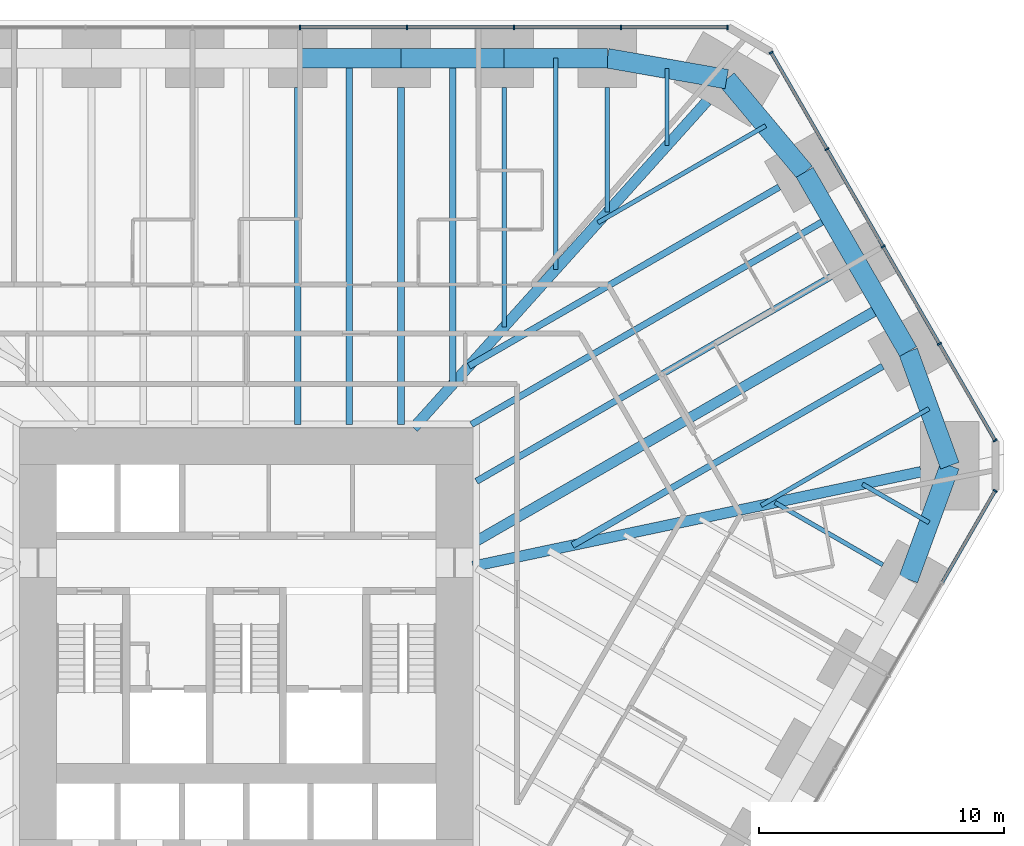
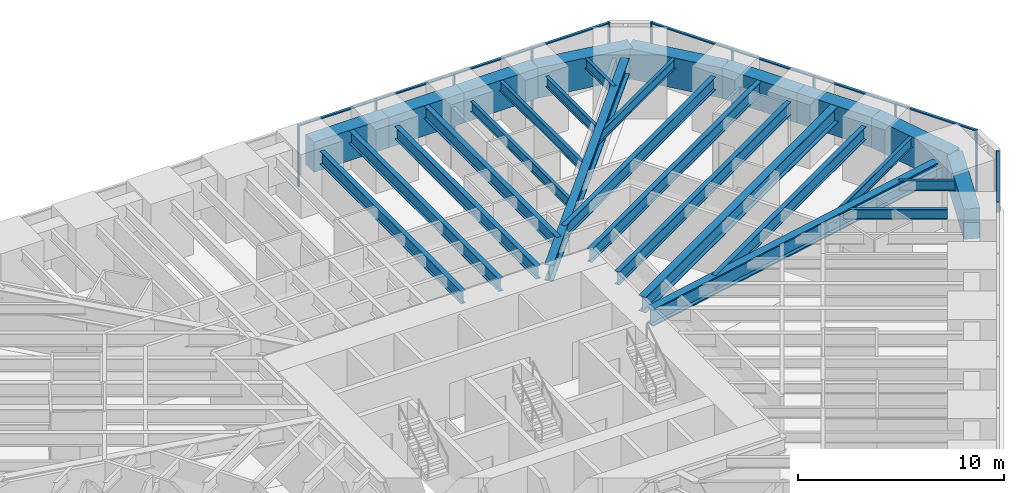
# One storey, part 9 of 17: 28 beams, 20 members, 3 elements without a shape of their own.
"""IFC4 building model written with IfcOpenShell, lengths in metres."""

from ifc_helpers import new_model, si_unit, direction, frame, origin, origin_2d, place, context, subcontext, project, spatial, rectangle, i_section, extrude, material, material_profile, profile_set, type_object, element, aggregate, save


model = new_model("IFC4")

# Units and contexts
model_context = context("Model", 3, precision=1e-05, world=origin(), true_north=direction((0.0, 1.0)))
body_context = subcontext(model_context, "Body", "Model", "MODEL_VIEW")
ifc_project = project(units=[si_unit("LENGTHUNIT", "METRE"), si_unit("AREAUNIT", "SQUARE_METRE"), si_unit("VOLUMEUNIT", "CUBIC_METRE"), si_unit("PLANEANGLEUNIT", "RADIAN"), si_unit("MASSUNIT", "GRAM", prefix="KILO")], contexts=[model_context])

# Site, building, storey
site_placement = place(None, origin())
site = spatial("IfcSite", under=ifc_project, at=site_placement, CompositionType="ELEMENT")
building_placement = place(site_placement, origin())
building = spatial("IfcBuilding", under=site, at=building_placement, Name="Sandreach Pilgrim Tower", CompositionType="ELEMENT")
storey_placement = place(building_placement, frame((0.0, 0.0, 26.800048828125)))
storey = spatial("IfcBuildingStorey", under=building, at=storey_placement, Name="L05", CompositionType="ELEMENT", Elevation=26.800048828125)

# Curtain wall, members
ifc_material_1 = material(Name="Aluminium framed curtain wall", Category="aluminium")
curtain_wall_type = type_object("IfcCurtainWallType", Name="Hostel tower curtain wall", PredefinedType="NOTDEFINED", material=ifc_material_1)
curtain_wall_1_placement = place(storey_placement, origin())
curtain_wall_1 = element("IfcCurtainWall", 1, at=curtain_wall_1_placement, inside=storey, type_object=curtain_wall_type, Name="CW-1 L05 N", PredefinedType="NOTDEFINED")
ifc_material_2 = material(Name="Aluminium extrusion", Category="aluminium")
ifc_material_profile_1 = material_profile(ifc_material_2, rectangle(XDim=0.06494140625, YDim=0.179931640625, at=origin_2d()), Name="CW-1M 65X180")
ifc_profile_set_1 = profile_set([ifc_material_profile_1], Name="Aluminium extrusion")
member_type_1 = type_object("IfcMemberType", Name="CW-1 mullion", PredefinedType="MULLION", material=ifc_profile_set_1)
member_1_placement = place(storey_placement, frame((2.185791015625, 23.94873046875, 0.0), z_axis=(0.0, 0.0, 1.0), x_axis=(1.0, 0.0, 0.0)))
member_1 = element("IfcMember", 2, at=member_1_placement, type_object=member_type_1, Name="CW-1 mullion 6", PredefinedType="MULLION", context=body_context, shape_type="SweptSolid", body=[
    extrude(rectangle(XDim=0.06494140625, YDim=0.179931640625, at=origin_2d()), origin(), (0.0, 0.0, 1.0), 3.639892578125),
])
member_2_placement = place(storey_placement, frame((6.557373046875, 23.94873046875, 0.0), z_axis=(0.0, 0.0, 1.0), x_axis=(1.0, 0.0, 0.0)))
member_2 = element("IfcMember", 3, at=member_2_placement, type_object=member_type_1, Name="CW-1 mullion 7", PredefinedType="MULLION", context=body_context, shape_type="SweptSolid", body=[
    extrude(rectangle(XDim=0.06494140625, YDim=0.179931640625, at=origin_2d()), origin(), (0.0, 0.0, 1.0), 3.639892578125),
])
member_3_placement = place(storey_placement, frame((10.928955078125, 23.94873046875, 0.0), z_axis=(0.0, 0.0, 1.0), x_axis=(1.0, 0.0, 0.0)))
member_3 = element("IfcMember", 4, at=member_3_placement, type_object=member_type_1, Name="CW-1 mullion 8", PredefinedType="MULLION", context=body_context, shape_type="SweptSolid", body=[
    extrude(rectangle(XDim=0.06494140625, YDim=0.179931640625, at=origin_2d()), origin(), (0.0, 0.0, 1.0), 3.639892578125),
])
member_4_placement = place(storey_placement, frame((15.300537109375, 23.94873046875, 0.0), z_axis=(0.0, 0.0, 1.0), x_axis=(1.0, 0.0, 0.0)))
member_4 = element("IfcMember", 5, at=member_4_placement, type_object=member_type_1, Name="CW-1 mullion 9", PredefinedType="MULLION", context=body_context, shape_type="SweptSolid", body=[
    extrude(rectangle(XDim=0.06494140625, YDim=0.179931640625, at=origin_2d()), origin(), (0.0, 0.0, 1.0), 3.639892578125),
])
member_5_placement = place(storey_placement, frame((19.6396484375, 23.94873046875, 0.0), z_axis=(0.0, 0.0, 1.0), x_axis=(1.0, 0.0, 0.0)))
member_5 = element("IfcMember", 6, at=member_5_placement, type_object=member_type_1, Name="CW-1 mullion 10", PredefinedType="MULLION", context=body_context, shape_type="SweptSolid", body=[
    extrude(rectangle(XDim=0.06494140625, YDim=0.179931640625, at=origin_2d()), origin(), (0.0, 0.0, 1.0), 3.639892578125),
])

curtain_wall_2_placement = place(storey_placement, origin())
curtain_wall_2 = element("IfcCurtainWall", 7, at=curtain_wall_2_placement, inside=storey, type_object=curtain_wall_type, Name="CW-1 L05 NE", PredefinedType="NOTDEFINED")
member_6_placement = place(storey_placement, frame((21.42041015625, 22.920654296875, 0.0), z_axis=(0.0, 0.0, 1.0), x_axis=(0.5, -0.866025403784, 0.0)))
member_6 = element("IfcMember", 8, at=member_6_placement, type_object=member_type_1, Name="CW-1 mullion 1", PredefinedType="MULLION", context=body_context, shape_type="SweptSolid", body=[
    extrude(rectangle(XDim=0.06494140625, YDim=0.179931640625, at=origin_2d()), origin(), (0.0, 0.0, 1.0), 3.639892578125),
])
member_7_placement = place(storey_placement, frame((23.697265625, 18.97705078125, 0.0), z_axis=(0.0, 0.0, 1.0), x_axis=(0.5, -0.866025403784, 0.0)))
member_7 = element("IfcMember", 9, at=member_7_placement, type_object=member_type_1, Name="CW-1 mullion 2", PredefinedType="MULLION", context=body_context, shape_type="SweptSolid", body=[
    extrude(rectangle(XDim=0.06494140625, YDim=0.179931640625, at=origin_2d()), origin(), (0.0, 0.0, 1.0), 3.639892578125),
])
member_8_placement = place(storey_placement, frame((25.990234375, 15.00537109375, 0.0), z_axis=(0.0, 0.0, 1.0), x_axis=(0.5, -0.866025403784, 0.0)))
member_8 = element("IfcMember", 10, at=member_8_placement, type_object=member_type_1, Name="CW-1 mullion 3", PredefinedType="MULLION", context=body_context, shape_type="SweptSolid", body=[
    extrude(rectangle(XDim=0.06494140625, YDim=0.179931640625, at=origin_2d()), origin(), (0.0, 0.0, 1.0), 3.639892578125),
])
member_9_placement = place(storey_placement, frame((28.283203125, 11.03369140625, 0.0), z_axis=(0.0, 0.0, 1.0), x_axis=(0.5, -0.866025403784, 0.0)))
member_9 = element("IfcMember", 11, at=member_9_placement, type_object=member_type_1, Name="CW-1 mullion 4", PredefinedType="MULLION", context=body_context, shape_type="SweptSolid", body=[
    extrude(rectangle(XDim=0.06494140625, YDim=0.179931640625, at=origin_2d()), origin(), (0.0, 0.0, 1.0), 3.639892578125),
])
member_10_placement = place(storey_placement, frame((30.56005859375, 7.09033203125, 0.0), z_axis=(0.0, 0.0, 1.0), x_axis=(0.5, -0.866025403784, 0.0)))
member_10 = element("IfcMember", 12, at=member_10_placement, type_object=member_type_1, Name="CW-1 mullion 5", PredefinedType="MULLION", context=body_context, shape_type="SweptSolid", body=[
    extrude(rectangle(XDim=0.06494140625, YDim=0.179931640625, at=origin_2d()), origin(), (0.0, 0.0, 1.0), 3.639892578125),
])

# Curtain wall, member
curtain_wall_3_placement = place(storey_placement, origin())
curtain_wall_3 = element("IfcCurtainWall", 13, at=curtain_wall_3_placement, inside=storey, type_object=curtain_wall_type, Name="CW-1 L05 SE", PredefinedType="NOTDEFINED")
member_11_placement = place(storey_placement, frame((30.56005859375, 5.033935546875, 0.0), z_axis=(0.0, 0.0, 1.0), x_axis=(-0.5, -0.866025403784, 0.0)))
member_11 = element("IfcMember", 14, at=member_11_placement, type_object=member_type_1, Name="CW-1 mullion 1", PredefinedType="MULLION", context=body_context, shape_type="SweptSolid", body=[
    extrude(rectangle(XDim=0.06494140625, YDim=0.179931640625, at=origin_2d()), origin(), (0.0, 0.0, 1.0), 3.639892578125),
])

# Member
ifc_material_3 = material(Name="Aluminium extrusion", Category="aluminium")
ifc_material_profile_2 = material_profile(ifc_material_3, rectangle(XDim=0.139892578125, YDim=0.070068359375, at=origin_2d()), Name="CW-1T 140X70")
ifc_profile_set_2 = profile_set([ifc_material_profile_2], Name="Aluminium extrusion")
member_type_2 = type_object("IfcMemberType", Name="CW-1 transom", PredefinedType="USERDEFINED", material=ifc_profile_set_2)
member_12_placement = place(storey_placement, frame((2.21826171875, 23.94873046875, 3.60498046875), z_axis=(1.0, 0.0, 0.0), x_axis=(0.0, 1.0, 0.0)))
member_12 = element("IfcMember", 15, at=member_12_placement, type_object=member_type_2, Name="CW-1 head transom 6", ObjectType="TRANSOM", PredefinedType="USERDEFINED", context=body_context, shape_type="SweptSolid", body=[
    extrude(rectangle(XDim=0.139892578125, YDim=0.070068359375, at=origin_2d()), origin(), (0.0, 0.0, 1.0), 4.306640625),
])

member_13_placement = place(storey_placement, frame((6.58984375, 23.94873046875, 3.60498046875), z_axis=(1.0, 0.0, 0.0), x_axis=(0.0, 1.0, 0.0)))
member_13 = element("IfcMember", 16, at=member_13_placement, type_object=member_type_2, Name="CW-1 head transom 7", ObjectType="TRANSOM", PredefinedType="USERDEFINED", context=body_context, shape_type="SweptSolid", body=[
    extrude(rectangle(XDim=0.139892578125, YDim=0.070068359375, at=origin_2d()), origin(), (0.0, 0.0, 1.0), 4.306640625),
])

member_14_placement = place(storey_placement, frame((10.96142578125, 23.94873046875, 3.60498046875), z_axis=(1.0, 0.0, 0.0), x_axis=(0.0, 1.0, 0.0)))
member_14 = element("IfcMember", 17, at=member_14_placement, type_object=member_type_2, Name="CW-1 head transom 8", ObjectType="TRANSOM", PredefinedType="USERDEFINED", context=body_context, shape_type="SweptSolid", body=[
    extrude(rectangle(XDim=0.139892578125, YDim=0.070068359375, at=origin_2d()), origin(), (0.0, 0.0, 1.0), 4.306640625),
])

member_15_placement = place(storey_placement, frame((15.3330078125, 23.94873046875, 3.60498046875), z_axis=(1.0, 0.0, 0.0), x_axis=(0.0, 1.0, 0.0)))
member_15 = element("IfcMember", 18, at=member_15_placement, type_object=member_type_2, Name="CW-1 head transom 9", ObjectType="TRANSOM", PredefinedType="USERDEFINED", context=body_context, shape_type="SweptSolid", body=[
    extrude(rectangle(XDim=0.139892578125, YDim=0.070068359375, at=origin_2d()), origin(), (0.0, 0.0, 1.0), 4.274169921875),
])

aggregate(curtain_wall_1, [member_1, member_2, member_3, member_4, member_5, member_12, member_13, member_14, member_15])

member_16_placement = place(storey_placement, frame((21.4365234375, 22.892333984375, 3.60498046875), z_axis=(0.500017500808, -0.866015299452, 0.0), x_axis=(0.866015299452, 0.500017500808, 0.0)))
member_16 = element("IfcMember", 19, at=member_16_placement, type_object=member_type_2, Name="CW-1 head transom 1", ObjectType="TRANSOM", PredefinedType="USERDEFINED", context=body_context, shape_type="SweptSolid", body=[
    extrude(rectangle(XDim=0.139892578125, YDim=0.070068359375, at=origin_2d()), origin(), (0.0, 0.0, 1.0), 4.488525390625),
])

member_17_placement = place(storey_placement, frame((23.71337890625, 18.948974609375, 3.60498046875), z_axis=(0.500001366228, -0.866024614991, 0.0), x_axis=(0.866024614991, 0.500001366228, 0.0)))
member_17 = element("IfcMember", 20, at=member_17_placement, type_object=member_type_2, Name="CW-1 head transom 2", ObjectType="TRANSOM", PredefinedType="USERDEFINED", context=body_context, shape_type="SweptSolid", body=[
    extrude(rectangle(XDim=0.139892578125, YDim=0.070068359375, at=origin_2d()), origin(), (0.0, 0.0, 1.0), 4.52099609375),
])

member_18_placement = place(storey_placement, frame((26.00634765625, 14.977294921875, 3.60498046875), z_axis=(0.500001366228, -0.866024614991, 0.0), x_axis=(0.866024614991, 0.500001366228, 0.0)))
member_18 = element("IfcMember", 21, at=member_18_placement, type_object=member_type_2, Name="CW-1 head transom 3", ObjectType="TRANSOM", PredefinedType="USERDEFINED", context=body_context, shape_type="SweptSolid", body=[
    extrude(rectangle(XDim=0.139892578125, YDim=0.070068359375, at=origin_2d()), origin(), (0.0, 0.0, 1.0), 4.52099609375),
])

member_19_placement = place(storey_placement, frame((28.299560546875, 11.005615234375, 3.60498046875), z_axis=(0.499976706761, -0.866038851724, 0.0), x_axis=(0.866038851724, 0.499976706761, 0.0)))
member_19 = element("IfcMember", 22, at=member_19_placement, type_object=member_type_2, Name="CW-1 head transom 4", ObjectType="TRANSOM", PredefinedType="USERDEFINED", context=body_context, shape_type="SweptSolid", body=[
    extrude(rectangle(XDim=0.139892578125, YDim=0.070068359375, at=origin_2d()), origin(), (0.0, 0.0, 1.0), 4.488525390625),
])

aggregate(curtain_wall_2, [member_6, member_7, member_8, member_9, member_10, member_16, member_17, member_18, member_19])

member_20_placement = place(storey_placement, frame((30.543701171875, 5.005859375, 3.60498046875), z_axis=(-0.499991113271, -0.866030534479, 0.0), x_axis=(0.866030534479, -0.499991113271, 0.0)))
member_20 = element("IfcMember", 23, at=member_20_placement, type_object=member_type_2, Name="CW-1 head transom 1", ObjectType="TRANSOM", PredefinedType="USERDEFINED", context=body_context, shape_type="SweptSolid", body=[
    extrude(rectangle(XDim=0.139892578125, YDim=0.070068359375, at=origin_2d()), origin(), (0.0, 0.0, 1.0), 4.27392578125),
])

aggregate(curtain_wall_3, [member_11, member_20])

# Beams
ifc_material_4 = material(Name="Steel ASTM A992 Grade 50", Category="steel")
ifc_material_profile_3 = material_profile(ifc_material_4, i_section(OverallWidth=0.431884765625, OverallDepth=0.988037109375, WebThickness=0.034423828125, FlangeThickness=0.06201171875, at=origin_2d()), Name="W36X441")
ifc_profile_set_3 = profile_set([ifc_material_profile_3], Name="Steel ASTM A992 Grade 50")
beam_type_1 = type_object("IfcBeamType", Name="Corner girder W36X441", PredefinedType="BEAM", material=ifc_profile_set_3)
beam_1_placement = place(storey_placement, frame((18.8046875, 20.94189453125, 3.14599609375), z_axis=(-0.668127834846, -0.74404650144, 0.0), x_axis=(0.74404650144, -0.668127834846, 0.0)))
element("IfcBeam", 24, at=beam_1_placement, inside=storey, type_object=beam_type_1, Name="BM L05 CG09", PredefinedType="BEAM", context=body_context, shape_type="SweptSolid", body=[
    extrude(i_section(OverallWidth=0.431884765625, OverallDepth=0.988037109375, WebThickness=0.034423828125, FlangeThickness=0.06201171875, at=origin_2d()), origin(), (0.0, 0.0, 1.0), 17.931396484375),
])
ifc_material_5 = material(Name="Steel ASTM A992 Grade 50", Category="steel")
ifc_material_profile_4 = material_profile(ifc_material_5, i_section(OverallWidth=0.436767578125, OverallDepth=1.010986328125, WebThickness=0.040771484375, FlangeThickness=0.073974609375, at=origin_2d()), Name="W36X529")
ifc_profile_set_4 = profile_set([ifc_material_profile_4], Name="Steel ASTM A992 Grade 50")
beam_type_2 = type_object("IfcBeamType", Name="Corner girder W36X529", PredefinedType="BEAM", material=ifc_profile_set_4)
beam_2_placement = place(storey_placement, frame((27.53857421875, 5.814208984375, 3.134521484375), z_axis=(-0.978429884383, -0.206579189045, 0.0), x_axis=(0.206579189045, -0.978429884383, 0.0)))
element("IfcBeam", 25, at=beam_2_placement, inside=storey, type_object=beam_type_2, Name="BM L05 CG13", PredefinedType="BEAM", context=body_context, shape_type="SweptSolid", body=[
    extrude(i_section(OverallWidth=0.436767578125, OverallDepth=1.010986328125, WebThickness=0.040771484375, FlangeThickness=0.073974609375, at=origin_2d()), origin(), (0.0, 0.0, 1.0), 18.691650390625),
])
ifc_material_6 = material(Name="Steel ASTM A992 Grade 50", Category="steel")
ifc_material_profile_5 = material_profile(ifc_material_6, i_section(OverallWidth=0.1787109375, OverallDepth=0.60205078125, WebThickness=0.010986328125, FlangeThickness=0.014892578125, at=origin_2d()), Name="W24X62")
ifc_profile_set_5 = profile_set([ifc_material_profile_5], Name="Steel ASTM A992 Grade 50")
beam_type_3 = type_object("IfcBeamType", Name="Floor beam W24X62", PredefinedType="BEAM", material=ifc_profile_set_5)
beam_3_placement = place(storey_placement, frame((10.52490234375, 21.48876953125, 3.3388671875), z_axis=(0.0, -1.0, 0.0), x_axis=(1.0, 0.0, 0.0)))
element("IfcBeam", 26, at=beam_3_placement, inside=storey, type_object=beam_type_3, Name="BM L05 F07", PredefinedType="BEAM", context=body_context, shape_type="SweptSolid", body=[
    extrude(i_section(OverallWidth=0.1787109375, OverallDepth=0.60205078125, WebThickness=0.010986328125, FlangeThickness=0.014892578125, at=origin_2d()), origin(), (0.0, 0.0, 1.0), 9.767822265625),
])
beam_4_placement = place(storey_placement, frame((14.734619140625, 21.48876953125, 3.3388671875), z_axis=(0.0, -1.0, 0.0), x_axis=(1.0, 0.0, 0.0)))
element("IfcBeam", 27, at=beam_4_placement, inside=storey, type_object=beam_type_3, Name="BM L05 F08", PredefinedType="BEAM", context=body_context, shape_type="SweptSolid", body=[
    extrude(i_section(OverallWidth=0.1787109375, OverallDepth=0.60205078125, WebThickness=0.010986328125, FlangeThickness=0.014892578125, at=origin_2d()), origin(), (0.0, 0.0, 1.0), 5.079345703125),
])
beam_5_placement = place(storey_placement, frame((25.97705078125, 2.016357421875, 3.3388671875), z_axis=(-0.866027897259, 0.49999568115, 0.0), x_axis=(-0.49999568115, -0.866027897259, 0.0)))
element("IfcBeam", 28, at=beam_5_placement, inside=storey, type_object=beam_type_3, Name="BM L05 F14", PredefinedType="BEAM", context=body_context, shape_type="SweptSolid", body=[
    extrude(i_section(OverallWidth=0.1787109375, OverallDepth=0.60205078125, WebThickness=0.010986328125, FlangeThickness=0.014892578125, at=origin_2d()), origin(), (0.0, 0.0, 1.0), 5.0791015625),
])
beam_6_placement = place(storey_placement, frame((12.629638671875, 22.688720703125, 3.3388671875), z_axis=(0.0, -1.0, 0.0), x_axis=(1.0, 0.0, 0.0)))
element("IfcBeam", 29, at=beam_6_placement, inside=storey, type_object=beam_type_3, Name="BM L05 FM07", PredefinedType="BEAM", context=body_context, shape_type="SweptSolid", body=[
    extrude(i_section(OverallWidth=0.1787109375, OverallDepth=0.60205078125, WebThickness=0.010986328125, FlangeThickness=0.014892578125, at=origin_2d()), origin(), (0.0, 0.0, 1.0), 8.62353515625),
])
beam_7_placement = place(storey_placement, frame((17.17041015625, 22.26171875, 3.3388671875), z_axis=(0.0, -1.0, 0.0), x_axis=(1.0, 0.0, 0.0)))
element("IfcBeam", 30, at=beam_7_placement, inside=storey, type_object=beam_type_3, Name="BM L05 FM08", PredefinedType="BEAM", context=body_context, shape_type="SweptSolid", body=[
    extrude(i_section(OverallWidth=0.1787109375, OverallDepth=0.60205078125, WebThickness=0.010986328125, FlangeThickness=0.014892578125, at=origin_2d()), origin(), (0.0, 0.0, 1.0), 3.1396484375),
])
for number, where, z_axis, x_axis, name in (
    (31, (21.197021484375, 19.933349609375, 3.3388671875), (-0.866028778003, -0.499994155636, 0.0), (0.499994155636, -0.866028778003, 0.0), "BM L05 FM09"),
    (32, (27.861328125, 8.390380859375, 3.3388671875), (-0.866028778003, -0.499994155636, 0.0), (0.499994155636, -0.866028778003, 0.0), "BM L05 FM12"),
):
    element("IfcBeam", number, at=place(storey_placement, frame(where, z_axis=z_axis, x_axis=x_axis)), inside=storey, type_object=beam_type_3, Name=name, PredefinedType="BEAM", context=body_context, shape_type="SweptSolid", body=[
        extrude(i_section(OverallWidth=0.1787109375, OverallDepth=0.60205078125, WebThickness=0.010986328125, FlangeThickness=0.014892578125, at=origin_2d()), origin(), (0.0, 0.0, 1.0), 7.90771484375),
    ])
beam_8_placement = place(storey_placement, frame((27.864501953125, 3.7392578125, 3.3388671875), z_axis=(-0.866023718453, 0.500002919068, 0.0), x_axis=(-0.500002919068, -0.866023718453, 0.0)))
element("IfcBeam", 33, at=beam_8_placement, inside=storey, type_object=beam_type_3, Name="BM L05 FM13", PredefinedType="BEAM", context=body_context, shape_type="SweptSolid", body=[
    extrude(i_section(OverallWidth=0.1787109375, OverallDepth=0.60205078125, WebThickness=0.010986328125, FlangeThickness=0.014892578125, at=origin_2d()), origin(), (0.0, 0.0, 1.0), 3.1396484375),
])
ifc_material_7 = material(Name="Steel ASTM A992 Grade 50", Category="steel")
ifc_material_profile_6 = material_profile(ifc_material_7, i_section(OverallWidth=0.2666015625, OverallDepth=0.761962890625, WebThickness=0.014404296875, FlangeThickness=0.021484375, at=origin_2d()), Name="W30X116")
ifc_profile_set_6 = profile_set([ifc_material_profile_6], Name="Steel ASTM A992 Grade 50")
beam_type_4 = type_object("IfcBeamType", Name="Floor beam W30X116", PredefinedType="BEAM", material=ifc_profile_set_6)
for number, where, z_axis, x_axis, name in (
    (34, (2.10498046875, 21.48876953125, 3.259033203125), (0.0, -1.0, 0.0), (1.0, 0.0, 0.0), "BM L05 F05"),
    (35, (6.31494140625, 21.48876953125, 3.259033203125), (0.0, -1.0, 0.0), (1.0, 0.0, 0.0), "BM L05 F06"),
):
    element("IfcBeam", number, at=place(storey_placement, frame(where, z_axis=z_axis, x_axis=x_axis)), inside=storey, type_object=beam_type_4, Name=name, PredefinedType="BEAM", context=body_context, shape_type="SweptSolid", body=[
        extrude(i_section(OverallWidth=0.2666015625, OverallDepth=0.761962890625, WebThickness=0.014404296875, FlangeThickness=0.021484375, at=origin_2d()), origin(), (0.0, 0.0, 1.0), 13.745361328125),
    ])
for number, where, z_axis, x_axis, name in (
    (36, (21.74853515625, 17.43212890625, 3.259033203125), (-0.866020355572, -0.500008743658, 0.0), (0.500008743658, -0.866020355572, 0.0), "BM L05 F10"),
    (37, (25.970947265625, 10.118896484375, 3.259033203125), (-0.866020355572, -0.500008743658, 0.0), (0.500008743658, -0.866020355572, 0.0), "BM L05 F12"),
):
    element("IfcBeam", number, at=place(storey_placement, frame(where, z_axis=z_axis, x_axis=x_axis)), inside=storey, type_object=beam_type_4, Name=name, PredefinedType="BEAM", context=body_context, shape_type="SweptSolid", body=[
        extrude(i_section(OverallWidth=0.2666015625, OverallDepth=0.761962890625, WebThickness=0.014404296875, FlangeThickness=0.021484375, at=origin_2d()), origin(), (0.0, 0.0, 1.0), 14.615966796875),
    ])
beam_9_placement = place(storey_placement, frame((4.2099609375, 22.688720703125, 3.259033203125), z_axis=(0.0, -1.0, 0.0), x_axis=(1.0, 0.0, 0.0)))
element("IfcBeam", 38, at=beam_9_placement, inside=storey, type_object=beam_type_4, Name="BM L05 FM05", PredefinedType="BEAM", context=body_context, shape_type="SweptSolid", body=[
    extrude(i_section(OverallWidth=0.2666015625, OverallDepth=0.761962890625, WebThickness=0.014404296875, FlangeThickness=0.021484375, at=origin_2d()), origin(), (0.0, 0.0, 1.0), 14.9453125),
])
beam_10_placement = place(storey_placement, frame((8.419921875, 22.688720703125, 3.259033203125), z_axis=(0.0, -1.0, 0.0), x_axis=(1.0, 0.0, 0.0)))
element("IfcBeam", 39, at=beam_10_placement, inside=storey, type_object=beam_type_4, Name="BM L05 FM06", PredefinedType="BEAM", context=body_context, shape_type="SweptSolid", body=[
    extrude(i_section(OverallWidth=0.2666015625, OverallDepth=0.761962890625, WebThickness=0.014404296875, FlangeThickness=0.021484375, at=origin_2d()), origin(), (0.0, 0.0, 1.0), 13.311767578125),
])
ifc_material_8 = material(Name="Steel ASTM A992 Grade 50", Category="steel")
ifc_material_profile_7 = material_profile(ifc_material_8, i_section(OverallWidth=0.2666015625, OverallDepth=0.77978515625, WebThickness=0.0166015625, FlangeThickness=0.030029296875, at=origin_2d()), Name="W30X148")
ifc_profile_set_7 = profile_set([ifc_material_profile_7], Name="Steel ASTM A992 Grade 50")
beam_type_5 = type_object("IfcBeamType", Name="Floor beam W30X148", PredefinedType="BEAM", material=ifc_profile_set_7)
beam_11_placement = place(storey_placement, frame((23.85986328125, 13.775390625, 3.25), z_axis=(-0.866031037473, -0.499990242038, 0.0), x_axis=(0.499990242038, -0.866031037473, 0.0)))
element("IfcBeam", 40, at=beam_11_placement, inside=storey, type_object=beam_type_5, Name="BM L05 F11", PredefinedType="BEAM", context=body_context, shape_type="SweptSolid", body=[
    extrude(i_section(OverallWidth=0.2666015625, OverallDepth=0.77978515625, WebThickness=0.0166015625, FlangeThickness=0.030029296875, at=origin_2d()), origin(), (0.0, 0.0, 1.0), 16.704345703125),
])
beam_12_placement = place(storey_placement, frame((23.843505859375, 16.203857421875, 3.25), z_axis=(-0.866027248123, -0.499996805499, 0.0), x_axis=(0.499996805499, -0.866027248123, 0.0)))
element("IfcBeam", 41, at=beam_12_placement, inside=storey, type_object=beam_type_5, Name="BM L05 FM10", PredefinedType="BEAM", context=body_context, shape_type="SweptSolid", body=[
    extrude(i_section(OverallWidth=0.2666015625, OverallDepth=0.77978515625, WebThickness=0.0166015625, FlangeThickness=0.030029296875, at=origin_2d()), origin(), (0.0, 0.0, 1.0), 16.9208984375),
])
ifc_material_9 = material(Name="Steel ASTM A992 Grade 50", Category="steel")
ifc_material_profile_8 = material_profile(ifc_material_9, i_section(OverallWidth=0.419189453125, OverallDepth=0.927001953125, WebThickness=0.019287109375, FlangeThickness=0.031982421875, at=origin_2d()), Name="W36X231")
ifc_profile_set_8 = profile_set([ifc_material_profile_8], Name="Steel ASTM A992 Grade 50")
beam_type_6 = type_object("IfcBeamType", Name="Floor beam W36X231", PredefinedType="BEAM", material=ifc_profile_set_8)
beam_13_placement = place(storey_placement, frame((25.95458984375, 12.547119140625, 3.176513671875), z_axis=(-0.866028474707, -0.499994680968, 0.0), x_axis=(0.499994680968, -0.866028474707, 0.0)))
element("IfcBeam", 42, at=beam_13_placement, inside=storey, type_object=beam_type_6, Name="BM L05 FM11", PredefinedType="BEAM", context=body_context, shape_type="SweptSolid", body=[
    extrude(i_section(OverallWidth=0.419189453125, OverallDepth=0.927001953125, WebThickness=0.019287109375, FlangeThickness=0.031982421875, at=origin_2d()), origin(), (0.0, 0.0, 1.0), 19.123291015625),
])
ifc_material_10 = material(Name="Concrete 10000 psi", Category="concrete")
ifc_material_profile_9 = material_profile(ifc_material_10, rectangle(XDim=0.800048828125, YDim=1.800048828125, at=origin_2d()), Name="RC800X1800")
ifc_profile_set_9 = profile_set([ifc_material_profile_9], Name="Concrete 10000 psi")
beam_type_7 = type_object("IfcBeamType", Name="Spandrel beam RC800X1800", PredefinedType="SPANDREL", material=ifc_profile_set_9)
for number, where, z_axis, x_axis, name in (
    (43, (2.10498046875, 22.688720703125, 2.739990234375), (1.0, 0.0, 0.0), (0.0, 1.0, 0.0), "BM L05 SP05"),
    (44, (6.31494140625, 22.688720703125, 2.739990234375), (1.0, 0.0, 0.0), (0.0, 1.0, 0.0), "BM L05 SP06"),
):
    element("IfcBeam", number, at=place(storey_placement, frame(where, z_axis=z_axis, x_axis=x_axis)), inside=storey, type_object=beam_type_7, Name=name, PredefinedType="SPANDREL", context=body_context, shape_type="SweptSolid", body=[
        extrude(rectangle(XDim=0.800048828125, YDim=1.800048828125, at=origin_2d()), origin(), (0.0, 0.0, 1.0), 4.2099609375),
    ])
beam_14_placement = place(storey_placement, frame((10.52490234375, 22.688720703125, 2.739990234375), z_axis=(1.0, 0.0, 0.0), x_axis=(0.0, 1.0, 0.0)))
element("IfcBeam", 45, at=beam_14_placement, inside=storey, type_object=beam_type_7, Name="BM L05 SP07", PredefinedType="SPANDREL", context=body_context, shape_type="SweptSolid", body=[
    extrude(rectangle(XDim=0.800048828125, YDim=1.800048828125, at=origin_2d()), origin(), (0.0, 0.0, 1.0), 4.209716796875),
])
beam_15_placement = place(storey_placement, frame((14.734619140625, 22.688720703125, 2.739990234375), z_axis=(0.984981186582, -0.172661698355, 0.0), x_axis=(0.172661698355, 0.984981186582, 0.0)))
element("IfcBeam", 46, at=beam_15_placement, inside=storey, type_object=beam_type_7, Name="BM L05 SP08", PredefinedType="SPANDREL", context=body_context, shape_type="SweptSolid", body=[
    extrude(rectangle(XDim=0.800048828125, YDim=1.800048828125, at=origin_2d()), origin(), (0.0, 0.0, 1.0), 4.946044921875),
])
beam_16_placement = place(storey_placement, frame((19.6064453125, 21.834716796875, 2.739990234375), z_axis=(0.641665295114, -0.766984777584, 0.0), x_axis=(0.766984777584, 0.641665295114, 0.0)))
element("IfcBeam", 47, at=beam_16_placement, inside=storey, type_object=beam_type_7, Name="BM L05 SP09", PredefinedType="SPANDREL", context=body_context, shape_type="SweptSolid", body=[
    extrude(rectangle(XDim=0.800048828125, YDim=1.800048828125, at=origin_2d()), origin(), (0.0, 0.0, 1.0), 4.9580078125),
])
beam_17_placement = place(storey_placement, frame((22.787841796875, 18.031982421875, 2.739990234375), z_axis=(0.500001084989, -0.866024777365, 0.0), x_axis=(0.866024777365, 0.500001084989, 0.0)))
element("IfcBeam", 48, at=beam_17_placement, inside=storey, type_object=beam_type_7, Name="BM L05 SP10", PredefinedType="SPANDREL", context=body_context, shape_type="SweptSolid", body=[
    extrude(rectangle(XDim=0.800048828125, YDim=1.800048828125, at=origin_2d()), origin(), (0.0, 0.0, 1.0), 4.22216796875),
])
beam_18_placement = place(storey_placement, frame((24.89892578125, 14.37548828125, 2.739990234375), z_axis=(0.500019412692, -0.866014195571, 0.0), x_axis=(0.866014195571, 0.500019412692, 0.0)))
element("IfcBeam", 49, at=beam_18_placement, inside=storey, type_object=beam_type_7, Name="BM L05 SP11", PredefinedType="SPANDREL", context=body_context, shape_type="SweptSolid", body=[
    extrude(rectangle(XDim=0.800048828125, YDim=1.800048828125, at=origin_2d()), origin(), (0.0, 0.0, 1.0), 4.222412109375),
])
beam_19_placement = place(storey_placement, frame((27.01025390625, 10.71875, 2.739990234375), z_axis=(0.343367552823, -0.939201109278, 0.0), x_axis=(0.939201109278, 0.343367552823, 0.0)))
element("IfcBeam", 50, at=beam_19_placement, inside=storey, type_object=beam_type_7, Name="BM L05 SP12", PredefinedType="SPANDREL", context=body_context, shape_type="SweptSolid", body=[
    extrude(rectangle(XDim=0.800048828125, YDim=1.800048828125, at=origin_2d()), origin(), (0.0, 0.0, 1.0), 4.9580078125),
])
beam_20_placement = place(storey_placement, frame((28.712646484375, 6.062255859375, 2.739990234375), z_axis=(-0.342963480301, -0.939348737786, 0.0), x_axis=(0.939348737786, -0.342963480301, 0.0)))
element("IfcBeam", 51, at=beam_20_placement, inside=storey, type_object=beam_type_7, Name="BM L05 SP13", PredefinedType="SPANDREL", context=body_context, shape_type="SweptSolid", body=[
    extrude(rectangle(XDim=0.800048828125, YDim=1.800048828125, at=origin_2d()), origin(), (0.0, 0.0, 1.0), 4.946044921875),
])

save(model, "model.ifc")
